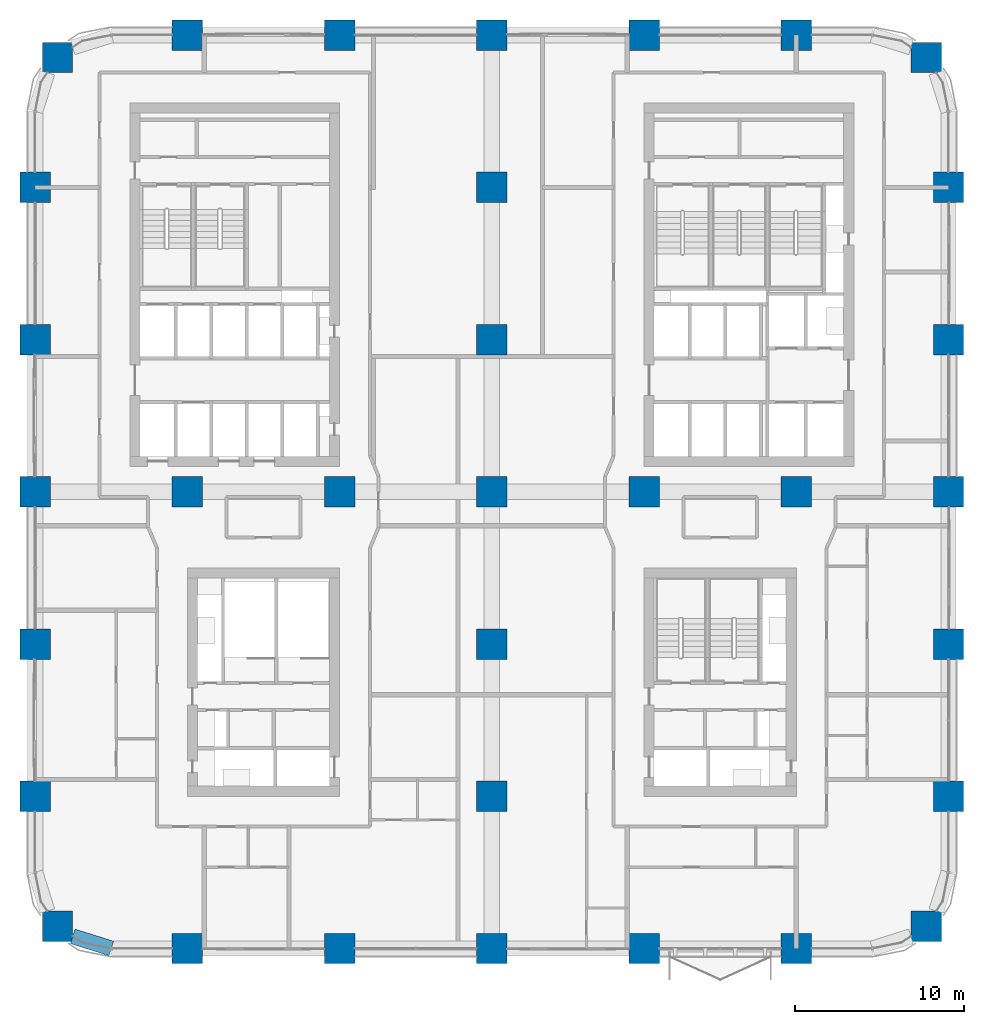
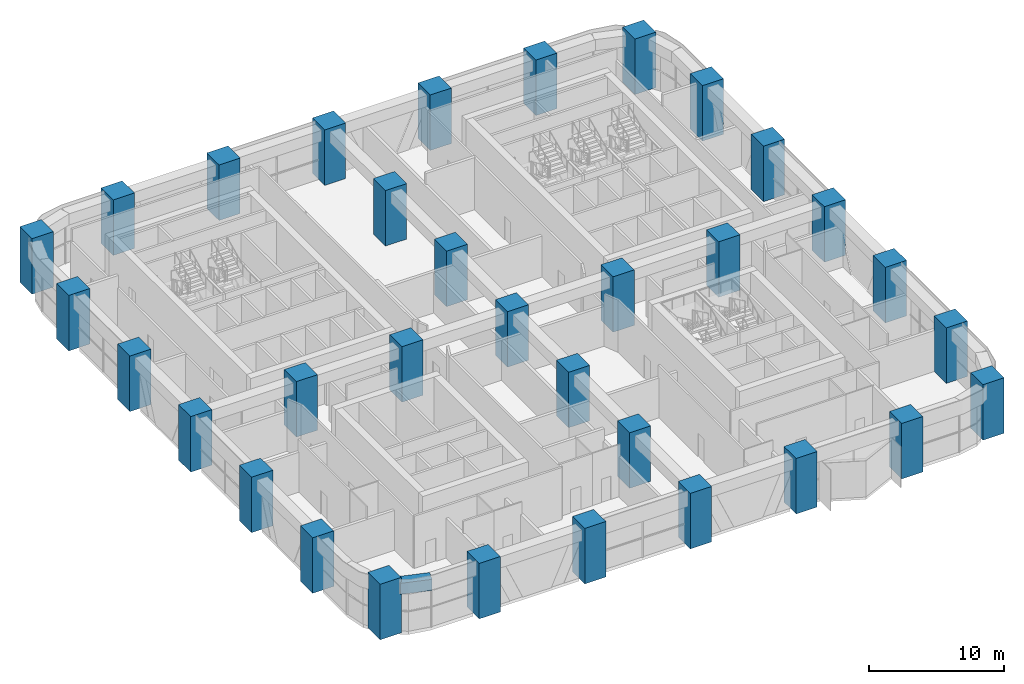
# One storey, part 1 of 26: 33 columns, 1 beam.
"""IFC4 building model written with IfcOpenShell, lengths in metres."""

from ifc_helpers import new_model, si_unit, direction, frame, origin, origin_2d, place, context, subcontext, project, spatial, rectangle, extrude, material, material_profile, profile_set, type_object, element, save


model = new_model("IFC4")

# Units and contexts
model_context = context("Model", 3, precision=1e-05, world=origin(), true_north=direction((0.0, 1.0)))
body_context = subcontext(model_context, "Body", "Model", "MODEL_VIEW")
ifc_project = project(units=[si_unit("LENGTHUNIT", "METRE"), si_unit("AREAUNIT", "SQUARE_METRE"), si_unit("VOLUMEUNIT", "CUBIC_METRE"), si_unit("PLANEANGLEUNIT", "RADIAN"), si_unit("MASSUNIT", "GRAM", prefix="KILO")], contexts=[model_context])

# Site, building, storey
site_placement = place(None, origin())
site = spatial("IfcSite", under=ifc_project, at=site_placement, CompositionType="ELEMENT")
building_placement = place(site_placement, origin())
building = spatial("IfcBuilding", under=site, at=building_placement, Name="Tessera Arch", CompositionType="ELEMENT")
storey_placement = place(building_placement, frame((0.0, 0.0, 72.800048828125)))
storey = spatial("IfcBuildingStorey", under=building, at=storey_placement, Name="L16", CompositionType="ELEMENT", Elevation=72.800048828125)

# Columns
ifc_material_1 = material(Name="Concrete C80/95", Category="concrete")
ifc_material_profile_1 = material_profile(ifc_material_1, rectangle(XDim=1.800048828125, YDim=1.800048828125, at=origin_2d()), Name="RC column 1800 x 1800 Concrete C80/95")
ifc_profile_set_1 = profile_set([ifc_material_profile_1], Name="Concrete C80/95")
column_type = type_object("IfcColumnType", Name="RC column 1800 x 1800 Concrete C80/95", PredefinedType="COLUMN", material=ifc_profile_set_1)
for number, where, z_axis, x_axis, name in (
    (1, (1.318115234375, 1.318115234375, 0.0), (0.0, 0.0, 1.0), (1.0, 0.0, 0.0), "Column C1A L16"),
    (2, (0.0, 9.0, 0.0), (0.0, 0.0, 1.0), (1.0, 0.0, 0.0), "Column C1B L16"),
    (3, (0.0, 18.0, 0.0), (0.0, 0.0, 1.0), (1.0, 0.0, 0.0), "Column C1C L16"),
    (4, (0.0, 27.0, 0.0), (0.0, 0.0, 1.0), (1.0, 0.0, 0.0), "Column C1D L16"),
    (5, (0.0, 36.0, 0.0), (0.0, 0.0, 1.0), (1.0, 0.0, 0.0), "Column C1E L16"),
    (6, (0.0, 45.0, 0.0), (0.0, 0.0, 1.0), (1.0, 0.0, 0.0), "Column C1F L16"),
    (7, (1.318115234375, 52.681884765625, 0.0), (0.0, 0.0, 1.0), (1.0, 0.0, 0.0), "Column C1G L16"),
    (8, (9.0, 0.0, 0.0), (0.0, 0.0, 1.0), (1.0, 0.0, 0.0), "Column C2A L16"),
    (9, (9.0, 27.0, 0.0), (0.0, 0.0, 1.0), (1.0, 0.0, 0.0), "Column C2D L16"),
    (10, (9.0, 54.0, 0.0), (0.0, 0.0, 1.0), (1.0, 0.0, 0.0), "Column C2G L16"),
    (11, (18.0, 0.0, 0.0), (0.0, 0.0, 1.0), (1.0, 0.0, 0.0), "Column C3A L16"),
    (12, (18.0, 27.0, 0.0), (0.0, 0.0, 1.0), (1.0, 0.0, 0.0), "Column C3D L16"),
    (13, (18.0, 54.0, 0.0), (0.0, 0.0, 1.0), (1.0, 0.0, 0.0), "Column C3G L16"),
    (14, (27.0, 0.0, 0.0), (0.0, 0.0, 1.0), (1.0, 0.0, 0.0), "Column C4A L16"),
    (15, (27.0, 9.0, 0.0), (0.0, 0.0, 1.0), (1.0, 0.0, 0.0), "Column C4B L16"),
    (16, (27.0, 18.0, 0.0), (0.0, 0.0, 1.0), (1.0, 0.0, 0.0), "Column C4C L16"),
    (17, (27.0, 27.0, 0.0), (0.0, 0.0, 1.0), (1.0, 0.0, 0.0), "Column C4D L16"),
    (18, (27.0, 36.0, 0.0), (0.0, 0.0, 1.0), (1.0, 0.0, 0.0), "Column C4E L16"),
    (19, (27.0, 45.0, 0.0), (0.0, 0.0, 1.0), (1.0, 0.0, 0.0), "Column C4F L16"),
    (20, (27.0, 54.0, 0.0), (0.0, 0.0, 1.0), (1.0, 0.0, 0.0), "Column C4G L16"),
    (21, (36.0, 0.0, 0.0), (0.0, 0.0, 1.0), (1.0, 0.0, 0.0), "Column C5A L16"),
    (22, (36.0, 27.0, 0.0), (0.0, 0.0, 1.0), (1.0, 0.0, 0.0), "Column C5D L16"),
    (23, (36.0, 54.0, 0.0), (0.0, 0.0, 1.0), (1.0, 0.0, 0.0), "Column C5G L16"),
    (24, (45.0, 0.0, 0.0), (0.0, 0.0, 1.0), (1.0, 0.0, 0.0), "Column C6A L16"),
    (25, (45.0, 27.0, 0.0), (0.0, 0.0, 1.0), (1.0, 0.0, 0.0), "Column C6D L16"),
    (26, (45.0, 54.0, 0.0), (0.0, 0.0, 1.0), (1.0, 0.0, 0.0), "Column C6G L16"),
    (27, (52.681884765625, 1.318115234375, 0.0), (0.0, 0.0, 1.0), (1.0, 0.0, 0.0), "Column C7A L16"),
    (28, (54.0, 9.0, 0.0), (0.0, 0.0, 1.0), (1.0, 0.0, 0.0), "Column C7B L16"),
    (29, (54.0, 18.0, 0.0), (0.0, 0.0, 1.0), (1.0, 0.0, 0.0), "Column C7C L16"),
    (30, (54.0, 27.0, 0.0), (0.0, 0.0, 1.0), (1.0, 0.0, 0.0), "Column C7D L16"),
    (31, (54.0, 36.0, 0.0), (0.0, 0.0, 1.0), (1.0, 0.0, 0.0), "Column C7E L16"),
    (32, (54.0, 45.0, 0.0), (0.0, 0.0, 1.0), (1.0, 0.0, 0.0), "Column C7F L16"),
    (33, (52.681884765625, 52.681884765625, 0.0), (0.0, 0.0, 1.0), (1.0, 0.0, 0.0), "Column C7G L16"),
):
    element("IfcColumn", number, at=place(storey_placement, frame(where, z_axis=z_axis, x_axis=x_axis)), inside=storey, type_object=column_type, Name=name, PredefinedType="COLUMN", context=body_context, shape_type="SweptSolid", body=[
        extrude(rectangle(XDim=1.800048828125, YDim=1.800048828125, at=origin_2d()), origin(), (0.0, 0.0, 1.0), 5.0),
    ])

# Beam
ifc_material_2 = material(Name="Concrete C80/95", Category="concrete")
ifc_material_profile_2 = material_profile(ifc_material_2, rectangle(XDim=0.89990234375, YDim=1.0, at=origin_2d()), Name="RC spandrel beam 900 x 1000 Concrete C80/95")
ifc_profile_set_2 = profile_set([ifc_material_profile_2], Name="Concrete C80/95")
beam_type = type_object("IfcBeamType", Name="RC spandrel beam 900 x 1000 Concrete C80/95", PredefinedType="BEAM", material=ifc_profile_set_2)
beam_placement = place(storey_placement, frame((2.218017578125, 0.716796875, 4.08984375), z_axis=(0.954041251279, -0.299675309057, 0.0), x_axis=(0.299675309057, 0.954041251279, 0.0)))
element("IfcBeam", 34, at=beam_placement, inside=storey, type_object=beam_type, Name="Spandrel beam L16 S0.0/5.1", PredefinedType="BEAM", context=body_context, shape_type="SweptSolid", body=[
    extrude(rectangle(XDim=0.89990234375, YDim=1.0, at=origin_2d()), origin(), (0.0, 0.0, 1.0), 2.391845703125),
])

save(model, "model.ifc")
